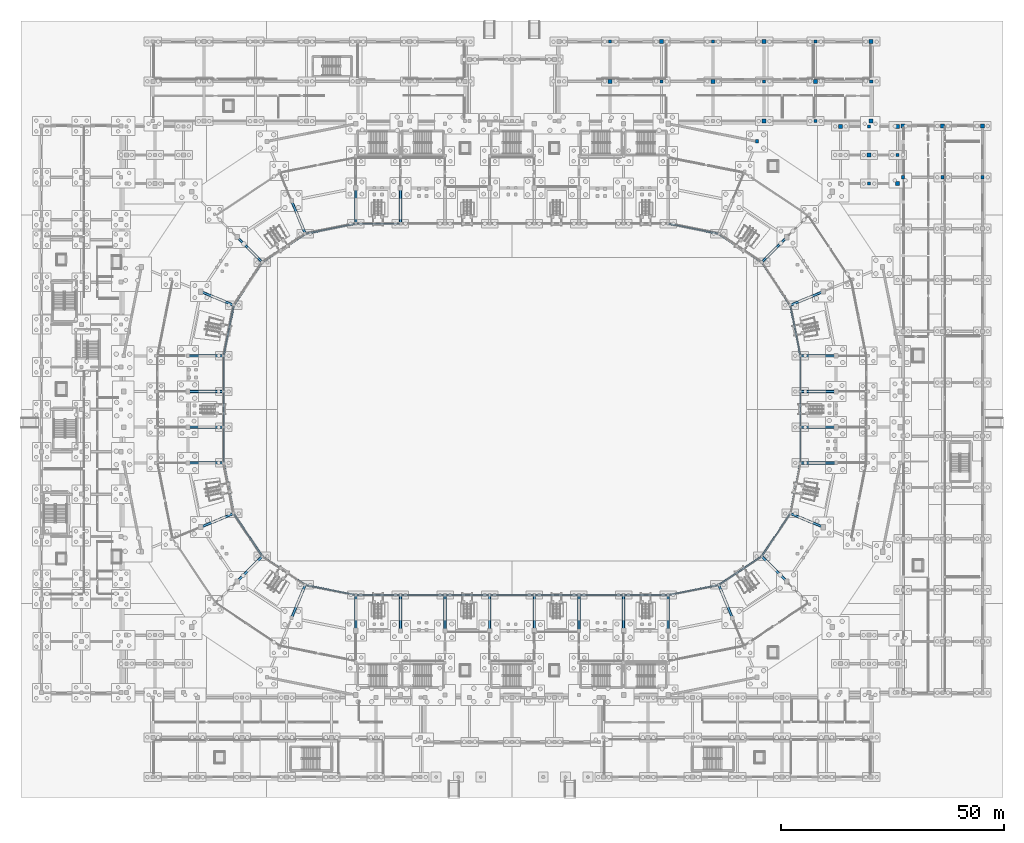
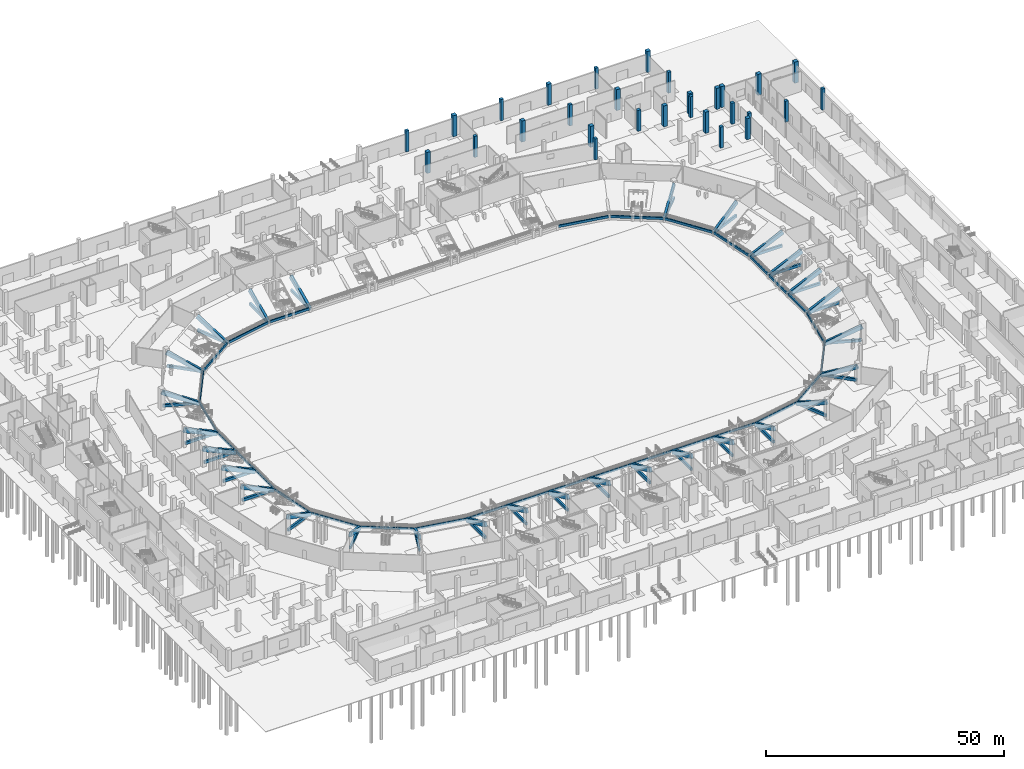
# One storey, part 18 of 68: 88 beams, 29 columns.
"""IFC4 building model written with IfcOpenShell, lengths in metres."""

from ifc_helpers import new_model, si_unit, direction, frame, origin, origin_2d, place, context, subcontext, project, spatial, rectangle, extrude, material, material_profile, profile_set, type_object, element, save


model = new_model("IFC4")

# Units and contexts
model_context = context("Model", 3, precision=1e-05, world=origin(), true_north=direction((0.0, 1.0)))
body_context = subcontext(model_context, "Body", "Model", "MODEL_VIEW")
ifc_project = project(units=[si_unit("LENGTHUNIT", "METRE"), si_unit("AREAUNIT", "SQUARE_METRE"), si_unit("VOLUMEUNIT", "CUBIC_METRE"), si_unit("PLANEANGLEUNIT", "RADIAN"), si_unit("MASSUNIT", "GRAM", prefix="KILO")], contexts=[model_context])

# Site, building, storey
site_placement = place(None, origin())
site = spatial("IfcSite", under=ifc_project, at=site_placement, CompositionType="ELEMENT")
building_placement = place(site_placement, origin())
building = spatial("IfcBuilding", under=site, at=building_placement, Name="Candeia Ridge Stadium", CompositionType="ELEMENT")
storey_placement = place(building_placement, origin())
storey = spatial("IfcBuildingStorey", under=building, at=storey_placement, Name="L00", CompositionType="ELEMENT", Elevation=0.0)

# Columns
ifc_material_1 = material(Name="Concrete C45/55", Category="concrete")
ifc_material_profile_1 = material_profile(ifc_material_1, rectangle(XDim=0.89990234375, YDim=0.89990234375, at=origin_2d()), Name="RC900x900", Category="concrete")
ifc_profile_set_1 = profile_set([ifc_material_profile_1], Name="Concrete C45/55")
column_type_1 = type_object("IfcColumnType", Name="Bowl Spine Column RC900x900", PredefinedType="COLUMN", material=ifc_profile_set_1)
for number, where, z_axis, x_axis, name in (
    (1, (193.60009765625, 146.5, 0.0), (0.0, 0.0, 1.0), (1.0, 0.0, 0.0), "Structural column EW-00-11 L00"),
    (2, (202.5, 146.5, 0.0), (0.0, 0.0, 1.0), (1.0, 0.0, 0.0), "Structural column EW-01-11 L00"),
    (3, (211.39990234375, 146.5, 0.0), (0.0, 0.0, 1.0), (1.0, 0.0, 0.0), "Structural column EW-02-11 L00"),
    (4, (128.0, 156.5, 0.0), (0.0, 0.0, 1.0), (1.0, 0.0, 0.0), "Structural column NWE-01-01 L00"),
    (5, (139.5, 165.39990234375, 0.0), (0.0, 0.0, 1.0), (1.0, 0.0, 0.0), "Structural column NWE-02-02 L00"),
    (6, (151.0, 156.5, 0.0), (0.0, 0.0, 1.0), (1.0, 0.0, 0.0), "Structural column NWE-03-01 L00"),
    (7, (162.5, 147.60009765625, 0.0), (0.0, 0.0, 1.0), (1.0, 0.0, 0.0), "Structural column NWE-04-00 L00"),
    (8, (162.5, 165.39990234375, 0.0), (0.0, 0.0, 1.0), (1.0, 0.0, 0.0), "Structural column NWE-04-02 L00"),
    (9, (174.0, 156.5, 0.0), (0.0, 0.0, 1.0), (1.0, 0.0, 0.0), "Structural column NWE-05-01 L00"),
    (10, (186.5, 147.60009765625, 0.0), (0.0, 0.0, 1.0), (1.0, 0.0, 0.0), "Structural column NWE-06-00 L00"),
    (11, (186.5, 165.39990234375, 0.0), (0.0, 0.0, 1.0), (1.0, 0.0, 0.0), "Structural column NWE-06-02 L00"),
    (12, (179.60009765625, 146.39990234375, 0.0), (0.0, 0.0, 1.0), (1.0, 0.0, 0.0), "Structural column SPNE-00-02 L00"),
    (13, (186.0, 140.0, 0.0), (0.0, 0.0, 1.0), (1.0, 0.0, 0.0), "Structural column SPNE-01-01 L00"),
    (14, (192.39990234375, 133.60009765625, 0.0), (0.0, 0.0, 1.0), (1.0, 0.0, 0.0), "Structural column SPNE-02-00 L00"),
    (15, (192.39990234375, 146.39990234375, 0.0), (0.0, 0.0, 1.0), (1.0, 0.0, 0.0), "Structural column SPNE-02-02 L00"),
):
    element("IfcColumn", number, at=place(storey_placement, frame(where, z_axis=z_axis, x_axis=x_axis)), inside=storey, type_object=column_type_1, Name=name, PredefinedType="COLUMN", context=body_context, shape_type="SweptSolid", body=[
        extrude(rectangle(XDim=0.89990234375, YDim=0.89990234375, at=origin_2d()), origin(), (0.0, 0.0, 1.0), 5.39990234375),
    ])
ifc_material_2 = material(Name="Concrete C40/50", Category="concrete")
ifc_material_profile_2 = material_profile(ifc_material_2, rectangle(XDim=0.679931640625, YDim=0.760009765625, at=origin_2d()), Name="RC680x760", Category="concrete")
ifc_profile_set_2 = profile_set([ifc_material_profile_2], Name="Concrete C40/50")
column_type_2 = type_object("IfcColumnType", Name="Graduated Frame Column RC680x760", PredefinedType="COLUMN", material=ifc_profile_set_2)
column_placement = place(storey_placement, frame((160.899658203125, 143.041748046875, 0.0), z_axis=(0.0, 0.0, 1.0), x_axis=(1.0, 0.0, 0.0)))
element("IfcColumn", 16, at=column_placement, inside=storey, type_object=column_type_2, Name="Structural column BC-OU-35 L00", PredefinedType="COLUMN", context=body_context, shape_type="SweptSolid", body=[
    extrude(rectangle(XDim=0.679931640625, YDim=0.760009765625, at=origin_2d()), origin(), (0.0, 0.0, 1.0), 5.39990234375),
])
ifc_material_profile_3 = material_profile(ifc_material_2, rectangle(XDim=0.699951171875, YDim=0.699951171875, at=origin_2d()), Name="RC700x700", Category="concrete")
ifc_profile_set_3 = profile_set([ifc_material_profile_3], Name="Concrete C40/50")
column_type_3 = type_object("IfcColumnType", Name="Wing Column RC700x700", PredefinedType="COLUMN", material=ifc_profile_set_3)
for number, where, z_axis, x_axis, name in (
    (17, (193.60009765625, 135.0, 0.0), (0.0, 0.0, 1.0), (1.0, 0.0, 0.0), "Structural column EW-00-10 L00"),
    (18, (202.5, 135.0, 0.0), (0.0, 0.0, 1.0), (1.0, 0.0, 0.0), "Structural column EW-01-10 L00"),
    (19, (211.39990234375, 135.0, 0.0), (0.0, 0.0, 1.0), (1.0, 0.0, 0.0), "Structural column EW-02-10 L00"),
    (20, (128.0, 165.39990234375, 0.0), (0.0, 0.0, 1.0), (1.0, 0.0, 0.0), "Structural column NWE-01-02 L00"),
    (21, (139.5, 156.5, 0.0), (0.0, 0.0, 1.0), (1.0, 0.0, 0.0), "Structural column NWE-02-01 L00"),
    (22, (151.0, 165.39990234375, 0.0), (0.0, 0.0, 1.0), (1.0, 0.0, 0.0), "Structural column NWE-03-02 L00"),
    (23, (162.5, 156.5, 0.0), (0.0, 0.0, 1.0), (1.0, 0.0, 0.0), "Structural column NWE-04-01 L00"),
    (24, (174.0, 147.60009765625, 0.0), (0.0, 0.0, 1.0), (1.0, 0.0, 0.0), "Structural column NWE-05-00 L00"),
    (25, (174.0, 165.39990234375, 0.0), (0.0, 0.0, 1.0), (1.0, 0.0, 0.0), "Structural column NWE-05-02 L00"),
    (26, (186.5, 156.5, 0.0), (0.0, 0.0, 1.0), (1.0, 0.0, 0.0), "Structural column NWE-06-01 L00"),
    (27, (186.0, 133.60009765625, 0.0), (0.0, 0.0, 1.0), (1.0, 0.0, 0.0), "Structural column SPNE-01-00 L00"),
    (28, (186.0, 146.39990234375, 0.0), (0.0, 0.0, 1.0), (1.0, 0.0, 0.0), "Structural column SPNE-01-02 L00"),
    (29, (192.39990234375, 140.0, 0.0), (0.0, 0.0, 1.0), (1.0, 0.0, 0.0), "Structural column SPNE-02-01 L00"),
):
    element("IfcColumn", number, at=place(storey_placement, frame(where, z_axis=z_axis, x_axis=x_axis)), inside=storey, type_object=column_type_3, Name=name, PredefinedType="COLUMN", context=body_context, shape_type="SweptSolid", body=[
        extrude(rectangle(XDim=0.699951171875, YDim=0.699951171875, at=origin_2d()), origin(), (0.0, 0.0, 1.0), 5.39990234375),
    ])

# Beams
ifc_material_profile_4 = material_profile(ifc_material_2, rectangle(XDim=0.449951171875, YDim=0.699951171875, at=origin_2d()), Name="RC450x700", Category="concrete")
ifc_profile_set_4 = profile_set([ifc_material_profile_4], Name="Concrete C40/50")
beam_type_1 = type_object("IfcBeamType", Name="Frame Girder RC450x700", PredefinedType="BEAM", material=ifc_profile_set_4)
for number, where, z_axis, x_axis, name in (
    (30, (81.0, 124.760009765625, 0.800048828125), (0.0, 1.0, 0.0), (-1.0, 0.0, 0.0), "Lower stand plinth girder BM-L00-0973"),
    (31, (71.0, 124.760009765625, 0.800048828125), (0.0, 1.0, 0.0), (-1.0, 0.0, 0.0), "Lower stand plinth girder BM-L00-0975"),
    (32, (59.611328125, 122.49462890625, 0.800048828125), (-0.38267559717, 0.923882777916, 0.0), (-0.923882777916, -0.38267559717, 0.0), "Lower stand plinth girder BM-L00-0977"),
):
    element("IfcBeam", number, at=place(storey_placement, frame(where, z_axis=z_axis, x_axis=x_axis)), inside=storey, type_object=beam_type_1, Name=name, PredefinedType="BEAM", context=body_context, shape_type="SweptSolid", body=[
        extrude(rectangle(XDim=0.449951171875, YDim=0.699951171875, at=origin_2d()), origin(), (0.0, 0.0, 1.0), 7.679931640625),
    ])
beam_1_placement = place(storey_placement, frame((49.95654296875, 116.04345703125, 0.800048828125), z_axis=(-0.707106781187, 0.707106781187, 0.0), x_axis=(-0.707106781187, -0.707106781187, 0.0)))
element("IfcBeam", 33, at=beam_1_placement, inside=storey, type_object=beam_type_1, Name="Lower stand plinth girder BM-L00-0979", PredefinedType="BEAM", context=body_context, shape_type="SweptSolid", body=[
    extrude(rectangle(XDim=0.449951171875, YDim=0.699951171875, at=origin_2d()), origin(), (0.0, 0.0, 1.0), 7.68017578125),
])
for number, where, z_axis, x_axis, name in (
    (34, (43.50537109375, 106.388671875, 0.800048828125), (-0.923882777916, 0.38267559717, 0.0), (-0.38267559717, -0.923882777916, 0.0), "Lower stand plinth girder BM-L00-0981"),
    (35, (41.239990234375, 95.0, 0.800048828125), (-1.0, 0.0, 0.0), (0.0, -1.0, 0.0), "Lower stand plinth girder BM-L00-0983"),
    (36, (41.239990234375, 87.0, 0.800048828125), (-1.0, 0.0, 0.0), (0.0, -1.0, 0.0), "Lower stand plinth girder BM-L00-0985"),
    (37, (41.239990234375, 79.0, 0.800048828125), (-1.0, 0.0, 0.0), (0.0, -1.0, 0.0), "Lower stand plinth girder BM-L00-0987"),
    (38, (41.239990234375, 71.0, 0.800048828125), (-1.0, 0.0, 0.0), (0.0, -1.0, 0.0), "Lower stand plinth girder BM-L00-0989"),
    (39, (43.50537109375, 59.611328125, 0.800048828125), (-0.923882777916, -0.38267559717, 0.0), (0.38267559717, -0.923882777916, 0.0), "Lower stand plinth girder BM-L00-0991"),
):
    element("IfcBeam", number, at=place(storey_placement, frame(where, z_axis=z_axis, x_axis=x_axis)), inside=storey, type_object=beam_type_1, Name=name, PredefinedType="BEAM", context=body_context, shape_type="SweptSolid", body=[
        extrude(rectangle(XDim=0.449951171875, YDim=0.699951171875, at=origin_2d()), origin(), (0.0, 0.0, 1.0), 7.679931640625),
    ])
beam_2_placement = place(storey_placement, frame((49.95654296875, 49.95654296875, 0.800048828125), z_axis=(-0.707106781187, -0.707106781187, 0.0), x_axis=(0.707106781187, -0.707106781187, 0.0)))
element("IfcBeam", 40, at=beam_2_placement, inside=storey, type_object=beam_type_1, Name="Lower stand plinth girder BM-L00-0993", PredefinedType="BEAM", context=body_context, shape_type="SweptSolid", body=[
    extrude(rectangle(XDim=0.449951171875, YDim=0.699951171875, at=origin_2d()), origin(), (0.0, 0.0, 1.0), 7.68017578125),
])
for number, where, z_axis, x_axis, name in (
    (41, (59.611328125, 43.50537109375, 0.800048828125), (-0.38267559717, -0.923882777916, 0.0), (0.923882777916, -0.38267559717, 0.0), "Lower stand plinth girder BM-L00-0995"),
    (42, (71.0, 41.239990234375, 0.800048828125), (0.0, -1.0, 0.0), (1.0, 0.0, 0.0), "Lower stand plinth girder BM-L00-0997"),
    (43, (81.0, 41.239990234375, 0.800048828125), (0.0, -1.0, 0.0), (1.0, 0.0, 0.0), "Lower stand plinth girder BM-L00-0999"),
    (44, (91.0, 41.239990234375, 0.800048828125), (0.0, -1.0, 0.0), (1.0, 0.0, 0.0), "Lower stand plinth girder BM-L00-1001"),
    (45, (101.0, 41.239990234375, 0.800048828125), (0.0, -1.0, 0.0), (1.0, 0.0, 0.0), "Lower stand plinth girder BM-L00-1003"),
    (46, (111.0, 41.239990234375, 0.800048828125), (0.0, -1.0, 0.0), (1.0, 0.0, 0.0), "Lower stand plinth girder BM-L00-1005"),
    (47, (121.0, 41.239990234375, 0.800048828125), (0.0, -1.0, 0.0), (1.0, 0.0, 0.0), "Lower stand plinth girder BM-L00-1007"),
    (48, (131.0, 41.239990234375, 0.800048828125), (0.0, -1.0, 0.0), (1.0, 0.0, 0.0), "Lower stand plinth girder BM-L00-1009"),
    (49, (141.0, 41.239990234375, 0.800048828125), (0.0, -1.0, 0.0), (1.0, 0.0, 0.0), "Lower stand plinth girder BM-L00-1011"),
    (50, (152.388671875, 43.50537109375, 0.800048828125), (0.38267559717, -0.923882777916, 0.0), (0.923882777916, 0.38267559717, 0.0), "Lower stand plinth girder BM-L00-1013"),
):
    element("IfcBeam", number, at=place(storey_placement, frame(where, z_axis=z_axis, x_axis=x_axis)), inside=storey, type_object=beam_type_1, Name=name, PredefinedType="BEAM", context=body_context, shape_type="SweptSolid", body=[
        extrude(rectangle(XDim=0.449951171875, YDim=0.699951171875, at=origin_2d()), origin(), (0.0, 0.0, 1.0), 7.679931640625),
    ])
beam_3_placement = place(storey_placement, frame((162.04345703125, 49.95654296875, 0.800048828125), z_axis=(0.707106781187, -0.707106781187, 0.0), x_axis=(0.707106781187, 0.707106781187, 0.0)))
element("IfcBeam", 51, at=beam_3_placement, inside=storey, type_object=beam_type_1, Name="Lower stand plinth girder BM-L00-1015", PredefinedType="BEAM", context=body_context, shape_type="SweptSolid", body=[
    extrude(rectangle(XDim=0.449951171875, YDim=0.699951171875, at=origin_2d()), origin(), (0.0, 0.0, 1.0), 7.68017578125),
])
for number, where, z_axis, x_axis, name in (
    (52, (168.49462890625, 59.611328125, 0.800048828125), (0.923882777916, -0.38267559717, 0.0), (0.38267559717, 0.923882777916, 0.0), "Lower stand plinth girder BM-L00-1017"),
    (53, (170.760009765625, 71.0, 0.800048828125), (1.0, 0.0, 0.0), (0.0, 1.0, 0.0), "Lower stand plinth girder BM-L00-1019"),
    (54, (170.760009765625, 79.0, 0.800048828125), (1.0, 0.0, 0.0), (0.0, 1.0, 0.0), "Lower stand plinth girder BM-L00-1021"),
    (55, (170.760009765625, 87.0, 0.800048828125), (1.0, 0.0, 0.0), (0.0, 1.0, 0.0), "Lower stand plinth girder BM-L00-1023"),
    (56, (170.760009765625, 95.0, 0.800048828125), (1.0, 0.0, 0.0), (0.0, 1.0, 0.0), "Lower stand plinth girder BM-L00-1025"),
    (57, (168.49462890625, 106.388671875, 0.800048828125), (0.923882777916, 0.38267559717, 0.0), (-0.38267559717, 0.923882777916, 0.0), "Lower stand plinth girder BM-L00-1027"),
):
    element("IfcBeam", number, at=place(storey_placement, frame(where, z_axis=z_axis, x_axis=x_axis)), inside=storey, type_object=beam_type_1, Name=name, PredefinedType="BEAM", context=body_context, shape_type="SweptSolid", body=[
        extrude(rectangle(XDim=0.449951171875, YDim=0.699951171875, at=origin_2d()), origin(), (0.0, 0.0, 1.0), 7.679931640625),
    ])
beam_4_placement = place(storey_placement, frame((162.04345703125, 116.04345703125, 0.800048828125), z_axis=(0.707106781187, 0.707106781187, 0.0), x_axis=(-0.707106781187, 0.707106781187, 0.0)))
element("IfcBeam", 58, at=beam_4_placement, inside=storey, type_object=beam_type_1, Name="Lower stand plinth girder BM-L00-1029", PredefinedType="BEAM", context=body_context, shape_type="SweptSolid", body=[
    extrude(rectangle(XDim=0.449951171875, YDim=0.699951171875, at=origin_2d()), origin(), (0.0, 0.0, 1.0), 7.68017578125),
])
ifc_material_profile_5 = material_profile(ifc_material_1, rectangle(XDim=0.60009765625, YDim=1.10009765625, at=origin_2d()), Name="RC600x1100", Category="concrete")
ifc_profile_set_5 = profile_set([ifc_material_profile_5], Name="Concrete C45/55")
beam_type_2 = type_object("IfcBeamType", Name="Lower Stand Raker Beam RC600x1100", PredefinedType="USERDEFINED", material=ifc_profile_set_5)
for number, where, z_axis, x_axis, name in (
    (59, (81.0, 124.60009765625, 0.6201171875), (0.0, 0.910194219783, 0.414181702002), (-1.0, 0.0, 0.0), "Stand T1 inclined concrete raker beam 07"),
    (60, (41.39990234375, 95.0, 0.6201171875), (-0.910194219783, 0.0, 0.414181702002), (0.0, -1.0, 0.0), "Stand T1 inclined concrete raker beam 12"),
    (61, (41.39990234375, 87.0, 0.6201171875), (-0.910194219783, 0.0, 0.414181702002), (0.0, -1.0, 0.0), "Stand T1 inclined concrete raker beam 13"),
    (62, (41.39990234375, 79.0, 0.6201171875), (-0.910194219783, 0.0, 0.414181702002), (0.0, -1.0, 0.0), "Stand T1 inclined concrete raker beam 14"),
    (63, (71.0, 41.39990234375, 0.6201171875), (0.0, -0.910194219783, 0.414181702002), (1.0, 0.0, 0.0), "Stand T1 inclined concrete raker beam 19"),
    (64, (81.0, 41.39990234375, 0.6201171875), (0.0, -0.910194219783, 0.414181702002), (1.0, 0.0, 0.0), "Stand T1 inclined concrete raker beam 20"),
    (65, (91.0, 41.39990234375, 0.6201171875), (0.0, -0.910194219783, 0.414181702002), (1.0, 0.0, 0.0), "Stand T1 inclined concrete raker beam 21"),
    (66, (101.0, 41.39990234375, 0.6201171875), (0.0, -0.910194219783, 0.414181702002), (1.0, 0.0, 0.0), "Stand T1 inclined concrete raker beam 22"),
    (67, (111.0, 41.39990234375, 0.6201171875), (0.0, -0.910194219783, 0.414181702002), (1.0, 0.0, 0.0), "Stand T1 inclined concrete raker beam 23"),
    (68, (121.0, 41.39990234375, 0.6201171875), (0.0, -0.910194219783, 0.414181702002), (1.0, 0.0, 0.0), "Stand T1 inclined concrete raker beam 24"),
    (69, (131.0, 41.39990234375, 0.6201171875), (0.0, -0.910194219783, 0.414181702002), (1.0, 0.0, 0.0), "Stand T1 inclined concrete raker beam 25"),
    (70, (170.60009765625, 71.0, 0.6201171875), (0.910194219783, 0.0, 0.414181702002), (0.0, 1.0, 0.0), "Stand T1 inclined concrete raker beam 30"),
    (71, (170.60009765625, 79.0, 0.6201171875), (0.910194219783, 0.0, 0.414181702002), (0.0, 1.0, 0.0), "Stand T1 inclined concrete raker beam 31"),
    (72, (170.60009765625, 87.0, 0.6201171875), (0.910194219783, 0.0, 0.414181702002), (0.0, 1.0, 0.0), "Stand T1 inclined concrete raker beam 32"),
):
    element("IfcBeam", number, at=place(storey_placement, frame(where, z_axis=z_axis, x_axis=x_axis)), inside=storey, type_object=beam_type_2, Name=name, ObjectType="RAKER", PredefinedType="USERDEFINED", context=body_context, shape_type="SweptSolid", body=[
        extrude(rectangle(XDim=0.60009765625, YDim=1.10009765625, at=origin_2d()), origin(), (0.0, 0.0, 1.0), 8.789306640625),
    ])
ifc_material_profile_6 = material_profile(ifc_material_2, rectangle(XDim=0.300048828125, YDim=0.60009765625, at=origin_2d()), Name="RC300x600", Category="concrete")
ifc_profile_set_6 = profile_set([ifc_material_profile_6], Name="Concrete C40/50")
beam_type_3 = type_object("IfcBeamType", Name="Spandrel Beam RC300x600", PredefinedType="SPANDREL", material=ifc_profile_set_6)
beam_5_placement = place(storey_placement, frame((80.840087890625, 124.60009765625, 0.85009765625), z_axis=(-1.0, 0.0, 0.0), x_axis=(0.0, -1.0, 0.0)))
element("IfcBeam", 73, at=beam_5_placement, inside=storey, type_object=beam_type_3, Name="Pitch-side moat ring beam BM-L00-0974", PredefinedType="SPANDREL", context=body_context, shape_type="SweptSolid", body=[
    extrude(rectangle(XDim=0.300048828125, YDim=0.60009765625, at=origin_2d()), origin(), (0.0, 0.0, 1.0), 9.68017578125),
])
beam_6_placement = place(storey_placement, frame((70.843017578125, 124.56884765625, 0.85009765625), z_axis=(-0.980781685133, -0.195108395788, 0.0), x_axis=(0.195108395788, -0.980781685133, 0.0)))
element("IfcBeam", 74, at=beam_6_placement, inside=storey, type_object=beam_type_3, Name="Pitch-side moat ring beam BM-L00-0976", PredefinedType="SPANDREL", context=body_context, shape_type="SweptSolid", body=[
    extrude(rectangle(XDim=0.300048828125, YDim=0.60009765625, at=origin_2d()), origin(), (0.0, 0.0, 1.0), 11.229248046875),
])
for number, where, z_axis, x_axis, name in (
    (75, (59.53955078125, 122.258056640625, 0.85009765625), (-0.831467842992, -0.55557288097, 0.0), (0.55557288097, -0.831467842992, 0.0), "Pitch-side moat ring beam BM-L00-0978"),
    (76, (49.980712890625, 115.79736328125, 0.85009765625), (-0.55557288097, -0.831467842992, 0.0), (0.831467842992, -0.55557288097, 0.0), "Pitch-side moat ring beam BM-L00-0980"),
):
    element("IfcBeam", number, at=place(storey_placement, frame(where, z_axis=z_axis, x_axis=x_axis)), inside=storey, type_object=beam_type_3, Name=name, PredefinedType="SPANDREL", context=body_context, shape_type="SweptSolid", body=[
        extrude(rectangle(XDim=0.300048828125, YDim=0.60009765625, at=origin_2d()), origin(), (0.0, 0.0, 1.0), 11.2294921875),
    ])
beam_7_placement = place(storey_placement, frame((43.6220703125, 106.17041015625, 0.85009765625), z_axis=(-0.195108395788, -0.980781685133, 0.0), x_axis=(0.980781685133, -0.195108395788, 0.0)))
element("IfcBeam", 77, at=beam_7_placement, inside=storey, type_object=beam_type_3, Name="Pitch-side moat ring beam BM-L00-0982", PredefinedType="SPANDREL", context=body_context, shape_type="SweptSolid", body=[
    extrude(rectangle(XDim=0.300048828125, YDim=0.60009765625, at=origin_2d()), origin(), (0.0, 0.0, 1.0), 11.229248046875),
])
for number, where, z_axis, x_axis, name in (
    (78, (41.39990234375, 94.840087890625, 0.85009765625), (0.0, -1.0, 0.0), (1.0, 0.0, 0.0), "Pitch-side moat ring beam BM-L00-0984"),
    (79, (41.39990234375, 86.840087890625, 0.85009765625), (0.0, -1.0, 0.0), (1.0, 0.0, 0.0), "Pitch-side moat ring beam BM-L00-0986"),
    (80, (41.39990234375, 78.840087890625, 0.85009765625), (0.0, -1.0, 0.0), (1.0, 0.0, 0.0), "Pitch-side moat ring beam BM-L00-0988"),
):
    element("IfcBeam", number, at=place(storey_placement, frame(where, z_axis=z_axis, x_axis=x_axis)), inside=storey, type_object=beam_type_3, Name=name, PredefinedType="SPANDREL", context=body_context, shape_type="SweptSolid", body=[
        extrude(rectangle(XDim=0.300048828125, YDim=0.60009765625, at=origin_2d()), origin(), (0.0, 0.0, 1.0), 7.68017578125),
    ])
beam_8_placement = place(storey_placement, frame((41.43115234375, 70.843017578125, 0.85009765625), z_axis=(0.195108395788, -0.980781685133, 0.0), x_axis=(0.980781685133, 0.195108395788, 0.0)))
element("IfcBeam", 81, at=beam_8_placement, inside=storey, type_object=beam_type_3, Name="Pitch-side moat ring beam BM-L00-0990", PredefinedType="SPANDREL", context=body_context, shape_type="SweptSolid", body=[
    extrude(rectangle(XDim=0.300048828125, YDim=0.60009765625, at=origin_2d()), origin(), (0.0, 0.0, 1.0), 11.229248046875),
])
for number, where, z_axis, x_axis, name in (
    (82, (43.741943359375, 59.53955078125, 0.85009765625), (0.55557288097, -0.831467842992, 0.0), (0.831467842992, 0.55557288097, 0.0), "Pitch-side moat ring beam BM-L00-0992"),
    (83, (50.20263671875, 49.980712890625, 0.85009765625), (0.831467842992, -0.55557288097, 0.0), (0.55557288097, 0.831467842992, 0.0), "Pitch-side moat ring beam BM-L00-0994"),
):
    element("IfcBeam", number, at=place(storey_placement, frame(where, z_axis=z_axis, x_axis=x_axis)), inside=storey, type_object=beam_type_3, Name=name, PredefinedType="SPANDREL", context=body_context, shape_type="SweptSolid", body=[
        extrude(rectangle(XDim=0.300048828125, YDim=0.60009765625, at=origin_2d()), origin(), (0.0, 0.0, 1.0), 11.2294921875),
    ])
beam_9_placement = place(storey_placement, frame((59.82958984375, 43.6220703125, 0.85009765625), z_axis=(0.980781685133, -0.195108395788, 0.0), x_axis=(0.195108395788, 0.980781685133, 0.0)))
element("IfcBeam", 84, at=beam_9_placement, inside=storey, type_object=beam_type_3, Name="Pitch-side moat ring beam BM-L00-0996", PredefinedType="SPANDREL", context=body_context, shape_type="SweptSolid", body=[
    extrude(rectangle(XDim=0.300048828125, YDim=0.60009765625, at=origin_2d()), origin(), (0.0, 0.0, 1.0), 11.229248046875),
])
for number, where, z_axis, x_axis, name in (
    (85, (71.159912109375, 41.39990234375, 0.85009765625), (1.0, 0.0, 0.0), (0.0, 1.0, 0.0), "Pitch-side moat ring beam BM-L00-0998"),
    (86, (81.159912109375, 41.39990234375, 0.85009765625), (1.0, 0.0, 0.0), (0.0, 1.0, 0.0), "Pitch-side moat ring beam BM-L00-1000"),
    (87, (91.159912109375, 41.39990234375, 0.85009765625), (1.0, 0.0, 0.0), (0.0, 1.0, 0.0), "Pitch-side moat ring beam BM-L00-1002"),
    (88, (101.159912109375, 41.39990234375, 0.85009765625), (1.0, 0.0, 0.0), (0.0, 1.0, 0.0), "Pitch-side moat ring beam BM-L00-1004"),
    (89, (111.159912109375, 41.39990234375, 0.85009765625), (1.0, 0.0, 0.0), (0.0, 1.0, 0.0), "Pitch-side moat ring beam BM-L00-1006"),
    (90, (121.159912109375, 41.39990234375, 0.85009765625), (1.0, 0.0, 0.0), (0.0, 1.0, 0.0), "Pitch-side moat ring beam BM-L00-1008"),
    (91, (131.159912109375, 41.39990234375, 0.85009765625), (1.0, 0.0, 0.0), (0.0, 1.0, 0.0), "Pitch-side moat ring beam BM-L00-1010"),
):
    element("IfcBeam", number, at=place(storey_placement, frame(where, z_axis=z_axis, x_axis=x_axis)), inside=storey, type_object=beam_type_3, Name=name, PredefinedType="SPANDREL", context=body_context, shape_type="SweptSolid", body=[
        extrude(rectangle(XDim=0.300048828125, YDim=0.60009765625, at=origin_2d()), origin(), (0.0, 0.0, 1.0), 9.68017578125),
    ])
beam_10_placement = place(storey_placement, frame((141.156982421875, 41.43115234375, 0.85009765625), z_axis=(0.980781685133, 0.195108395788, 0.0), x_axis=(-0.195108395788, 0.980781685133, 0.0)))
element("IfcBeam", 92, at=beam_10_placement, inside=storey, type_object=beam_type_3, Name="Pitch-side moat ring beam BM-L00-1012", PredefinedType="SPANDREL", context=body_context, shape_type="SweptSolid", body=[
    extrude(rectangle(XDim=0.300048828125, YDim=0.60009765625, at=origin_2d()), origin(), (0.0, 0.0, 1.0), 11.229248046875),
])
for number, where, z_axis, x_axis, name in (
    (93, (152.46044921875, 43.741943359375, 0.85009765625), (0.831467842992, 0.55557288097, 0.0), (-0.55557288097, 0.831467842992, 0.0), "Pitch-side moat ring beam BM-L00-1014"),
    (94, (162.019287109375, 50.20263671875, 0.85009765625), (0.55557288097, 0.831467842992, 0.0), (-0.831467842992, 0.55557288097, 0.0), "Pitch-side moat ring beam BM-L00-1016"),
):
    element("IfcBeam", number, at=place(storey_placement, frame(where, z_axis=z_axis, x_axis=x_axis)), inside=storey, type_object=beam_type_3, Name=name, PredefinedType="SPANDREL", context=body_context, shape_type="SweptSolid", body=[
        extrude(rectangle(XDim=0.300048828125, YDim=0.60009765625, at=origin_2d()), origin(), (0.0, 0.0, 1.0), 11.2294921875),
    ])
beam_11_placement = place(storey_placement, frame((168.3779296875, 59.82958984375, 0.85009765625), z_axis=(0.195108395788, 0.980781685133, 0.0), x_axis=(-0.980781685133, 0.195108395788, 0.0)))
element("IfcBeam", 95, at=beam_11_placement, inside=storey, type_object=beam_type_3, Name="Pitch-side moat ring beam BM-L00-1018", PredefinedType="SPANDREL", context=body_context, shape_type="SweptSolid", body=[
    extrude(rectangle(XDim=0.300048828125, YDim=0.60009765625, at=origin_2d()), origin(), (0.0, 0.0, 1.0), 11.229248046875),
])
for number, where, z_axis, x_axis, name in (
    (96, (170.60009765625, 71.159912109375, 0.85009765625), (0.0, 1.0, 0.0), (-1.0, 0.0, 0.0), "Pitch-side moat ring beam BM-L00-1020"),
    (97, (170.60009765625, 79.159912109375, 0.85009765625), (0.0, 1.0, 0.0), (-1.0, 0.0, 0.0), "Pitch-side moat ring beam BM-L00-1022"),
    (98, (170.60009765625, 87.159912109375, 0.85009765625), (0.0, 1.0, 0.0), (-1.0, 0.0, 0.0), "Pitch-side moat ring beam BM-L00-1024"),
):
    element("IfcBeam", number, at=place(storey_placement, frame(where, z_axis=z_axis, x_axis=x_axis)), inside=storey, type_object=beam_type_3, Name=name, PredefinedType="SPANDREL", context=body_context, shape_type="SweptSolid", body=[
        extrude(rectangle(XDim=0.300048828125, YDim=0.60009765625, at=origin_2d()), origin(), (0.0, 0.0, 1.0), 7.68017578125),
    ])
beam_12_placement = place(storey_placement, frame((170.56884765625, 95.156982421875, 0.85009765625), z_axis=(-0.195108395788, 0.980781685133, 0.0), x_axis=(-0.980781685133, -0.195108395788, 0.0)))
element("IfcBeam", 99, at=beam_12_placement, inside=storey, type_object=beam_type_3, Name="Pitch-side moat ring beam BM-L00-1026", PredefinedType="SPANDREL", context=body_context, shape_type="SweptSolid", body=[
    extrude(rectangle(XDim=0.300048828125, YDim=0.60009765625, at=origin_2d()), origin(), (0.0, 0.0, 1.0), 11.229248046875),
])
for number, where, z_axis, x_axis, name in (
    (100, (168.258056640625, 106.46044921875, 0.85009765625), (-0.55557288097, 0.831467842992, 0.0), (-0.831467842992, -0.55557288097, 0.0), "Pitch-side moat ring beam BM-L00-1028"),
    (101, (161.79736328125, 116.019287109375, 0.85009765625), (-0.831467842992, 0.55557288097, 0.0), (-0.55557288097, -0.831467842992, 0.0), "Pitch-side moat ring beam BM-L00-1030"),
):
    element("IfcBeam", number, at=place(storey_placement, frame(where, z_axis=z_axis, x_axis=x_axis)), inside=storey, type_object=beam_type_3, Name=name, PredefinedType="SPANDREL", context=body_context, shape_type="SweptSolid", body=[
        extrude(rectangle(XDim=0.300048828125, YDim=0.60009765625, at=origin_2d()), origin(), (0.0, 0.0, 1.0), 11.2294921875),
    ])
beam_13_placement = place(storey_placement, frame((152.17041015625, 122.3779296875, 0.85009765625), z_axis=(-0.980781685133, 0.195108395788, 0.0), x_axis=(-0.195108395788, -0.980781685133, 0.0)))
element("IfcBeam", 102, at=beam_13_placement, inside=storey, type_object=beam_type_3, Name="Pitch-side moat ring beam BM-L00-1032", PredefinedType="SPANDREL", context=body_context, shape_type="SweptSolid", body=[
    extrude(rectangle(XDim=0.300048828125, YDim=0.60009765625, at=origin_2d()), origin(), (0.0, 0.0, 1.0), 11.229248046875),
])
ifc_material_profile_7 = material_profile(ifc_material_1, rectangle(XDim=0.550048828125, YDim=1.0, at=origin_2d()), Name="RC550x1000", Category="concrete")
ifc_profile_set_7 = profile_set([ifc_material_profile_7], Name="Concrete C45/55")
beam_type_4 = type_object("IfcBeamType", Name="Stand Raker Beam RC550x1000", PredefinedType="USERDEFINED", material=ifc_profile_set_7)
for number, where, z_axis, x_axis, name in (
    (103, (71.0, 124.60009765625, 0.6201171875), (0.0, 0.910194219783, 0.414181702002), (-1.0, 0.0, 0.0), "Stand T1 inclined concrete raker beam 08"),
    (104, (59.672607421875, 122.346923828125, 0.6201171875), (-0.348327413699, 0.84090237599, 0.414187405555), (-0.923873999136, -0.382696790842, 0.0), "Stand T1 inclined concrete raker beam 09"),
):
    element("IfcBeam", number, at=place(storey_placement, frame(where, z_axis=z_axis, x_axis=x_axis)), inside=storey, type_object=beam_type_4, Name=name, ObjectType="RAKER", PredefinedType="USERDEFINED", context=body_context, shape_type="SweptSolid", body=[
        extrude(rectangle(XDim=0.550048828125, YDim=1.0, at=origin_2d()), origin(), (0.0, 0.0, 1.0), 8.789306640625),
    ])
beam_14_placement = place(storey_placement, frame((50.069580078125, 115.930419921875, 0.6201171875), z_axis=(-0.643602241529, 0.643602241529, 0.414188736445), x_axis=(-0.707106781187, -0.707106781187, 0.0)))
element("IfcBeam", 105, at=beam_14_placement, inside=storey, type_object=beam_type_4, Name="Stand T1 inclined concrete raker beam 10", ObjectType="RAKER", PredefinedType="USERDEFINED", context=body_context, shape_type="SweptSolid", body=[
    extrude(rectangle(XDim=0.550048828125, YDim=1.0, at=origin_2d()), origin(), (0.0, 0.0, 1.0), 8.7890625),
])
for number, where, z_axis, x_axis, name in (
    (106, (43.653076171875, 106.327392578125, 0.6201171875), (-0.84090237599, 0.348327413699, 0.414187405555), (-0.382696790842, -0.923873999136, 0.0), "Stand T1 inclined concrete raker beam 11"),
    (107, (41.39990234375, 71.0, 0.6201171875), (-0.910194219783, 0.0, 0.414181702002), (0.0, -1.0, 0.0), "Stand T1 inclined concrete raker beam 15"),
    (108, (43.653076171875, 59.672607421875, 0.6201171875), (-0.84090237599, -0.348327413699, 0.414187405555), (0.382696790842, -0.923873999136, 0.0), "Stand T1 inclined concrete raker beam 16"),
):
    element("IfcBeam", number, at=place(storey_placement, frame(where, z_axis=z_axis, x_axis=x_axis)), inside=storey, type_object=beam_type_4, Name=name, ObjectType="RAKER", PredefinedType="USERDEFINED", context=body_context, shape_type="SweptSolid", body=[
        extrude(rectangle(XDim=0.550048828125, YDim=1.0, at=origin_2d()), origin(), (0.0, 0.0, 1.0), 8.789306640625),
    ])
beam_15_placement = place(storey_placement, frame((50.069580078125, 50.069580078125, 0.6201171875), z_axis=(-0.643602241529, -0.643602241529, 0.414188736445), x_axis=(0.707106781187, -0.707106781187, 0.0)))
element("IfcBeam", 109, at=beam_15_placement, inside=storey, type_object=beam_type_4, Name="Stand T1 inclined concrete raker beam 17", ObjectType="RAKER", PredefinedType="USERDEFINED", context=body_context, shape_type="SweptSolid", body=[
    extrude(rectangle(XDim=0.550048828125, YDim=1.0, at=origin_2d()), origin(), (0.0, 0.0, 1.0), 8.7890625),
])
for number, where, z_axis, x_axis, name in (
    (110, (59.672607421875, 43.653076171875, 0.6201171875), (-0.348327413699, -0.84090237599, 0.414187405555), (0.923873999136, -0.382696790842, 0.0), "Stand T1 inclined concrete raker beam 18"),
    (111, (141.0, 41.39990234375, 0.6201171875), (0.0, -0.910194219783, 0.414181702002), (1.0, 0.0, 0.0), "Stand T1 inclined concrete raker beam 26"),
    (112, (152.327392578125, 43.653076171875, 0.6201171875), (0.348327413699, -0.84090237599, 0.414187405555), (0.923873999136, 0.382696790842, 0.0), "Stand T1 inclined concrete raker beam 27"),
):
    element("IfcBeam", number, at=place(storey_placement, frame(where, z_axis=z_axis, x_axis=x_axis)), inside=storey, type_object=beam_type_4, Name=name, ObjectType="RAKER", PredefinedType="USERDEFINED", context=body_context, shape_type="SweptSolid", body=[
        extrude(rectangle(XDim=0.550048828125, YDim=1.0, at=origin_2d()), origin(), (0.0, 0.0, 1.0), 8.789306640625),
    ])
beam_16_placement = place(storey_placement, frame((161.930419921875, 50.069580078125, 0.6201171875), z_axis=(0.643602241529, -0.643602241529, 0.414188736445), x_axis=(0.707106781187, 0.707106781187, 0.0)))
element("IfcBeam", 113, at=beam_16_placement, inside=storey, type_object=beam_type_4, Name="Stand T1 inclined concrete raker beam 28", ObjectType="RAKER", PredefinedType="USERDEFINED", context=body_context, shape_type="SweptSolid", body=[
    extrude(rectangle(XDim=0.550048828125, YDim=1.0, at=origin_2d()), origin(), (0.0, 0.0, 1.0), 8.7890625),
])
for number, where, z_axis, x_axis, name in (
    (114, (168.346923828125, 59.672607421875, 0.6201171875), (0.84090237599, -0.348327413699, 0.414187405555), (0.382696790842, 0.923873999136, 0.0), "Stand T1 inclined concrete raker beam 29"),
    (115, (170.60009765625, 95.0, 0.6201171875), (0.910194219783, 0.0, 0.414181702002), (0.0, 1.0, 0.0), "Stand T1 inclined concrete raker beam 33"),
    (116, (168.346923828125, 106.327392578125, 0.6201171875), (0.84090237599, 0.348327413699, 0.414187405555), (-0.382696790842, 0.923873999136, 0.0), "Stand T1 inclined concrete raker beam 34"),
):
    element("IfcBeam", number, at=place(storey_placement, frame(where, z_axis=z_axis, x_axis=x_axis)), inside=storey, type_object=beam_type_4, Name=name, ObjectType="RAKER", PredefinedType="USERDEFINED", context=body_context, shape_type="SweptSolid", body=[
        extrude(rectangle(XDim=0.550048828125, YDim=1.0, at=origin_2d()), origin(), (0.0, 0.0, 1.0), 8.789306640625),
    ])
beam_17_placement = place(storey_placement, frame((161.930419921875, 115.930419921875, 0.6201171875), z_axis=(0.643602241529, 0.643602241529, 0.414188736445), x_axis=(-0.707106781187, 0.707106781187, 0.0)))
element("IfcBeam", 117, at=beam_17_placement, inside=storey, type_object=beam_type_4, Name="Stand T1 inclined concrete raker beam 35", ObjectType="RAKER", PredefinedType="USERDEFINED", context=body_context, shape_type="SweptSolid", body=[
    extrude(rectangle(XDim=0.550048828125, YDim=1.0, at=origin_2d()), origin(), (0.0, 0.0, 1.0), 8.7890625),
])

save(model, "model.ifc")
